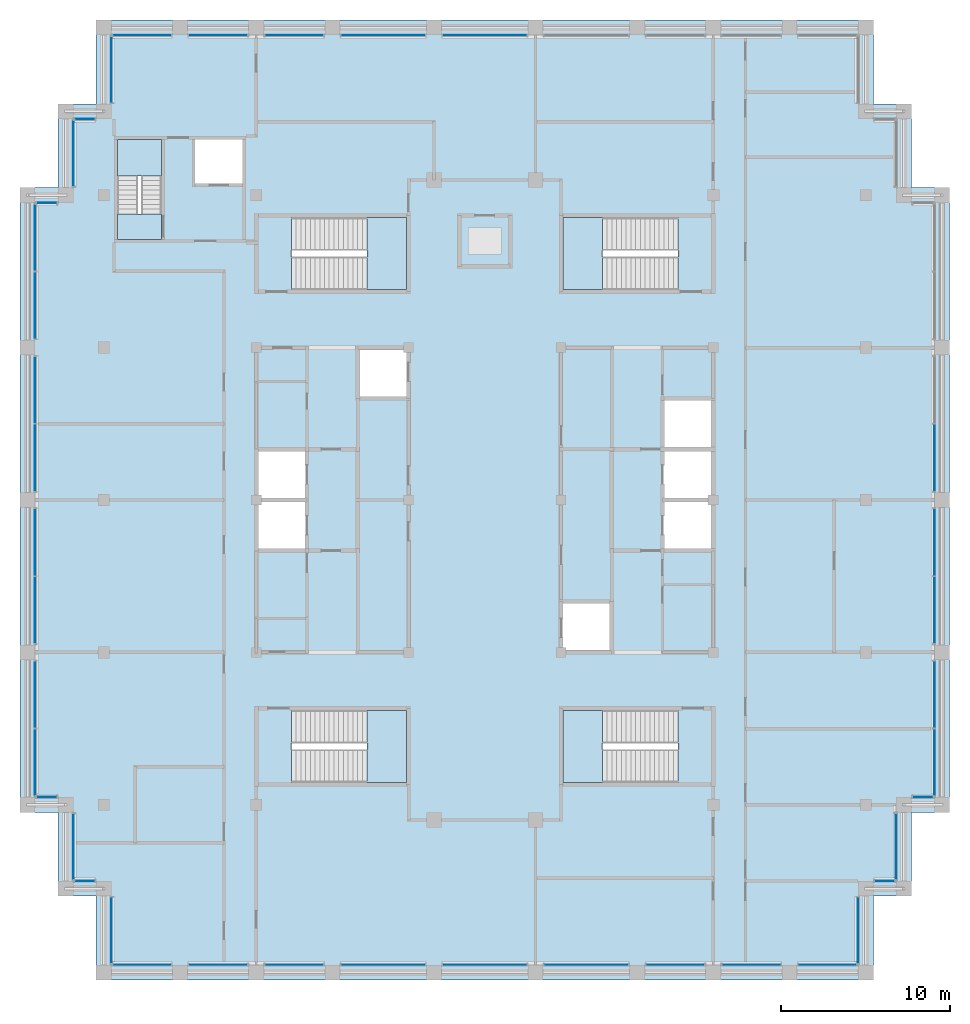
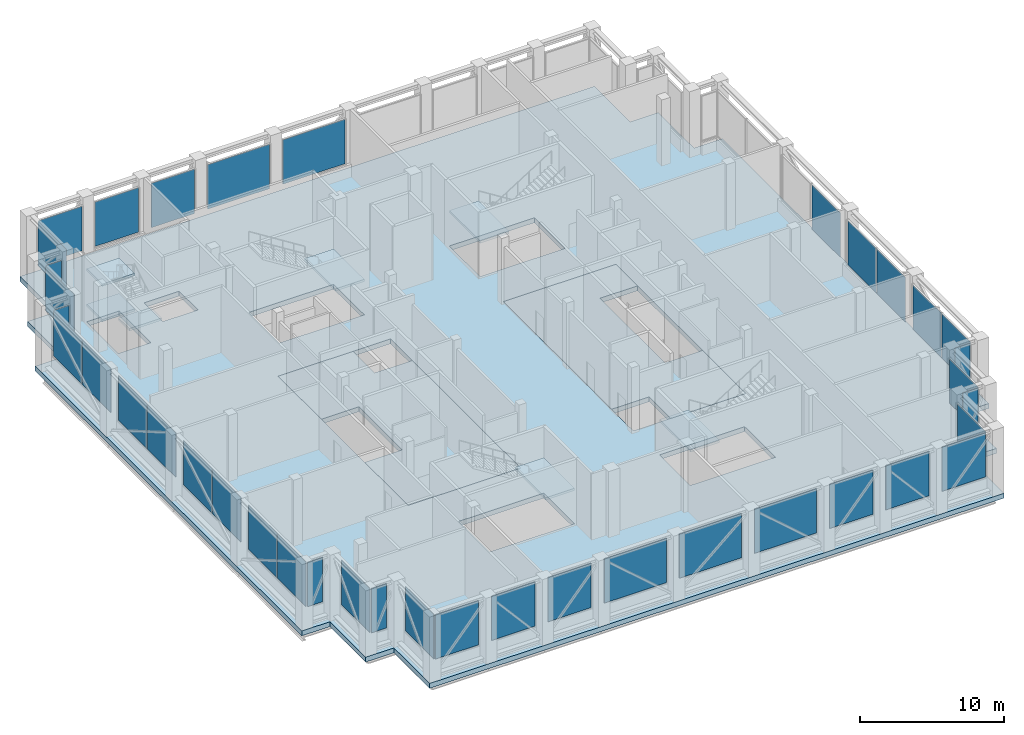
# One storey, part 10 of 17: 39 plates, 10 slabs, 38 elements without a shape of their own.
"""IFC4 building model written with IfcOpenShell, lengths in metres."""

from ifc_helpers import new_model, si_unit, direction, frame, origin, origin_2d, place, context, subcontext, project, spatial, polyline, rectangle, outline, extrude, material, layer, layer_set, type_object, element, aggregate, save


model = new_model("IFC4")

# Units and contexts
model_context = context("Model", 3, precision=1e-05, world=origin(), true_north=direction((0.0, 1.0)))
body_context = subcontext(model_context, "Body", "Model", "MODEL_VIEW")
ifc_project = project(units=[si_unit("LENGTHUNIT", "METRE"), si_unit("AREAUNIT", "SQUARE_METRE"), si_unit("VOLUMEUNIT", "CUBIC_METRE"), si_unit("PLANEANGLEUNIT", "RADIAN"), si_unit("MASSUNIT", "GRAM", prefix="KILO")], contexts=[model_context])

# Site, building, storey
site_placement = place(None, origin())
site = spatial("IfcSite", under=ifc_project, at=site_placement, CompositionType="ELEMENT")
building_placement = place(site_placement, origin())
building = spatial("IfcBuilding", under=site, at=building_placement, Name="Corbelhall Arena Tower", CompositionType="ELEMENT")
storey_placement = place(building_placement, frame((0.0, 0.0, 350.0)))
storey = spatial("IfcBuildingStorey", under=building, at=storey_placement, Name="L77", CompositionType="ELEMENT", Elevation=350.0)

# Curtain wall, plate
ifc_material_1 = material(Name="Aluminium black anodised", Category="aluminium")
ifc_layer_1 = layer(ifc_material_1, 0.199951171875)
ifc_layer_set_1 = layer_set([ifc_layer_1], Name="EV-CW5 Sky band glazing")
curtain_wall_type = type_object("IfcCurtainWallType", Name="EV-CW5 Sky band glazing", PredefinedType="NOTDEFINED", material=ifc_layer_set_1)
curtain_wall_1_placement = place(storey_placement, origin())
curtain_wall_1 = element("IfcCurtainWall", 1, at=curtain_wall_1_placement, inside=storey, type_object=curtain_wall_type, Name="Curtain wall CW5B", PredefinedType="NOTDEFINED")
ifc_material_2 = material(Name="Insulated metal panel black anodised")
ifc_layer_2 = layer(ifc_material_2, 0.028076171875)
ifc_layer_set_2 = layer_set([ifc_layer_2], Name="EV-CW5-OPAQUE")
plate_type = type_object("IfcPlateType", Name="EV-CW5-OPAQUE", PredefinedType="CURTAIN_PANEL", material=ifc_layer_set_2)
plate_1_placement = place(storey_placement, frame((-25.875, 17.550048828125, 1.175048828125), z_axis=(0.0, 0.0, 1.0), x_axis=(-1.0, 0.0, 0.0)))
plate_1 = element("IfcPlate", 2, at=plate_1_placement, type_object=plate_type, Name="CW5B panel 1.1", PredefinedType="CURTAIN_PANEL", context=body_context, shape_type="SweptSolid", body=[
    extrude(rectangle(XDim=1.199951171875, YDim=0.028076171875, at=origin_2d()), origin(), (0.0, 0.0, 1.0), 3.74951171875),
])
aggregate(curtain_wall_1, [plate_1])

# Curtain wall, plates
curtain_wall_2_placement = place(storey_placement, origin())
curtain_wall_2 = element("IfcCurtainWall", 3, at=curtain_wall_2_placement, inside=storey, type_object=curtain_wall_type, Name="Curtain wall CW5", PredefinedType="NOTDEFINED")
plate_2_placement = place(storey_placement, frame((-26.550048828125, 15.50634765625, 1.175048828125), z_axis=(0.0, 0.0, 1.0), x_axis=(0.0, -1.0, 0.0)))
plate_2 = element("IfcPlate", 4, at=plate_2_placement, type_object=plate_type, Name="CW5 panel 1.1", PredefinedType="CURTAIN_PANEL", context=body_context, shape_type="SweptSolid", body=[
    extrude(rectangle(XDim=3.9375, YDim=0.028076171875, at=origin_2d()), origin(), (0.0, 0.0, 1.0), 3.74951171875),
])
plate_3_placement = place(storey_placement, frame((-26.550048828125, 11.49365234375, 1.175048828125), z_axis=(0.0, 0.0, 1.0), x_axis=(0.0, -1.0, 0.0)))
plate_3 = element("IfcPlate", 5, at=plate_3_placement, type_object=plate_type, Name="CW5 panel 2.1", PredefinedType="CURTAIN_PANEL", context=body_context, shape_type="SweptSolid", body=[
    extrude(rectangle(XDim=3.9375, YDim=0.028076171875, at=origin_2d()), origin(), (0.0, 0.0, 1.0), 3.74951171875),
])
aggregate(curtain_wall_2, [plate_2, plate_3])

curtain_wall_3_placement = place(storey_placement, origin())
curtain_wall_3 = element("IfcCurtainWall", 6, at=curtain_wall_3_placement, inside=storey, type_object=curtain_wall_type, Name="Curtain wall CW5", PredefinedType="NOTDEFINED")
plate_4_placement = place(storey_placement, frame((-26.550048828125, 6.50634765625, 1.175048828125), z_axis=(0.0, 0.0, 1.0), x_axis=(0.0, -1.0, 0.0)))
plate_4 = element("IfcPlate", 7, at=plate_4_placement, type_object=plate_type, Name="CW5 panel 1.1", PredefinedType="CURTAIN_PANEL", context=body_context, shape_type="SweptSolid", body=[
    extrude(rectangle(XDim=3.9375, YDim=0.028076171875, at=origin_2d()), origin(), (0.0, 0.0, 1.0), 3.74951171875),
])
plate_5_placement = place(storey_placement, frame((-26.550048828125, 2.49365234375, 1.175048828125), z_axis=(0.0, 0.0, 1.0), x_axis=(0.0, -1.0, 0.0)))
plate_5 = element("IfcPlate", 8, at=plate_5_placement, type_object=plate_type, Name="CW5 panel 2.1", PredefinedType="CURTAIN_PANEL", context=body_context, shape_type="SweptSolid", body=[
    extrude(rectangle(XDim=3.9375, YDim=0.028076171875, at=origin_2d()), origin(), (0.0, 0.0, 1.0), 3.74951171875),
])
aggregate(curtain_wall_3, [plate_4, plate_5])

curtain_wall_4_placement = place(storey_placement, origin())
curtain_wall_4 = element("IfcCurtainWall", 9, at=curtain_wall_4_placement, inside=storey, type_object=curtain_wall_type, Name="Curtain wall CW5", PredefinedType="NOTDEFINED")
plate_6_placement = place(storey_placement, frame((-26.550048828125, -2.49365234375, 1.175048828125), z_axis=(0.0, 0.0, 1.0), x_axis=(0.0, -1.0, 0.0)))
plate_6 = element("IfcPlate", 10, at=plate_6_placement, type_object=plate_type, Name="CW5 panel 1.1", PredefinedType="CURTAIN_PANEL", context=body_context, shape_type="SweptSolid", body=[
    extrude(rectangle(XDim=3.9375, YDim=0.028076171875, at=origin_2d()), origin(), (0.0, 0.0, 1.0), 3.74951171875),
])
plate_7_placement = place(storey_placement, frame((-26.550048828125, -6.50634765625, 1.175048828125), z_axis=(0.0, 0.0, 1.0), x_axis=(0.0, -1.0, 0.0)))
plate_7 = element("IfcPlate", 11, at=plate_7_placement, type_object=plate_type, Name="CW5 panel 2.1", PredefinedType="CURTAIN_PANEL", context=body_context, shape_type="SweptSolid", body=[
    extrude(rectangle(XDim=3.9375, YDim=0.028076171875, at=origin_2d()), origin(), (0.0, 0.0, 1.0), 3.74951171875),
])
aggregate(curtain_wall_4, [plate_6, plate_7])

curtain_wall_5_placement = place(storey_placement, origin())
curtain_wall_5 = element("IfcCurtainWall", 12, at=curtain_wall_5_placement, inside=storey, type_object=curtain_wall_type, Name="Curtain wall CW5", PredefinedType="NOTDEFINED")
plate_8_placement = place(storey_placement, frame((-26.550048828125, -11.49365234375, 1.175048828125), z_axis=(0.0, 0.0, 1.0), x_axis=(0.0, -1.0, 0.0)))
plate_8 = element("IfcPlate", 13, at=plate_8_placement, type_object=plate_type, Name="CW5 panel 1.1", PredefinedType="CURTAIN_PANEL", context=body_context, shape_type="SweptSolid", body=[
    extrude(rectangle(XDim=3.9375, YDim=0.028076171875, at=origin_2d()), origin(), (0.0, 0.0, 1.0), 3.74951171875),
])
plate_9_placement = place(storey_placement, frame((-26.550048828125, -15.50634765625, 1.175048828125), z_axis=(0.0, 0.0, 1.0), x_axis=(0.0, -1.0, 0.0)))
plate_9 = element("IfcPlate", 14, at=plate_9_placement, type_object=plate_type, Name="CW5 panel 2.1", PredefinedType="CURTAIN_PANEL", context=body_context, shape_type="SweptSolid", body=[
    extrude(rectangle(XDim=3.9375, YDim=0.028076171875, at=origin_2d()), origin(), (0.0, 0.0, 1.0), 3.74951171875),
])
aggregate(curtain_wall_5, [plate_8, plate_9])

# Curtain wall, plate
curtain_wall_6_placement = place(storey_placement, origin())
curtain_wall_6 = element("IfcCurtainWall", 15, at=curtain_wall_6_placement, inside=storey, type_object=curtain_wall_type, Name="Curtain wall CW5B", PredefinedType="NOTDEFINED")
plate_10_placement = place(storey_placement, frame((-25.875, -17.550048828125, 1.175048828125), z_axis=(0.0, 0.0, 1.0), x_axis=(1.0, 0.0, 0.0)))
plate_10 = element("IfcPlate", 16, at=plate_10_placement, type_object=plate_type, Name="CW5B panel 1.1", PredefinedType="CURTAIN_PANEL", context=body_context, shape_type="SweptSolid", body=[
    extrude(rectangle(XDim=1.199951171875, YDim=0.028076171875, at=origin_2d()), origin(), (0.0, 0.0, 1.0), 3.74951171875),
])
aggregate(curtain_wall_6, [plate_10])

curtain_wall_7_placement = place(storey_placement, origin())
curtain_wall_7 = element("IfcCurtainWall", 17, at=curtain_wall_7_placement, inside=storey, type_object=curtain_wall_type, Name="Curtain wall CW5", PredefinedType="NOTDEFINED")
plate_11_placement = place(storey_placement, frame((-24.300048828125, -20.47509765625, 1.175048828125), z_axis=(0.0, 0.0, 1.0), x_axis=(0.0, -1.0, 0.0)))
plate_11 = element("IfcPlate", 18, at=plate_11_placement, type_object=plate_type, Name="CW5 panel 1.1", PredefinedType="CURTAIN_PANEL", context=body_context, shape_type="SweptSolid", body=[
    extrude(rectangle(XDim=3.89990234375, YDim=0.028076171875, at=origin_2d()), origin(), (0.0, 0.0, 1.0), 3.74951171875),
])
aggregate(curtain_wall_7, [plate_11])

curtain_wall_8_placement = place(storey_placement, origin())
curtain_wall_8 = element("IfcCurtainWall", 19, at=curtain_wall_8_placement, inside=storey, type_object=curtain_wall_type, Name="Curtain wall CW5B", PredefinedType="NOTDEFINED")
plate_12_placement = place(storey_placement, frame((-23.625, -22.5, 1.175048828125), z_axis=(0.0, 0.0, 1.0), x_axis=(1.0, 0.0, 0.0)))
plate_12 = element("IfcPlate", 20, at=plate_12_placement, type_object=plate_type, Name="CW5B panel 1.1", PredefinedType="CURTAIN_PANEL", context=body_context, shape_type="SweptSolid", body=[
    extrude(rectangle(XDim=1.199951171875, YDim=0.028076171875, at=origin_2d()), origin(), (0.0, 0.0, 1.0), 3.74951171875),
])
aggregate(curtain_wall_8, [plate_12])

curtain_wall_9_placement = place(storey_placement, origin())
curtain_wall_9 = element("IfcCurtainWall", 21, at=curtain_wall_9_placement, inside=storey, type_object=curtain_wall_type, Name="Curtain wall CW5", PredefinedType="NOTDEFINED")
plate_13_placement = place(storey_placement, frame((-22.050048828125, -25.425048828125, 1.175048828125), z_axis=(0.0, 0.0, 1.0), x_axis=(0.0, -1.0, 0.0)))
plate_13 = element("IfcPlate", 22, at=plate_13_placement, type_object=plate_type, Name="CW5 panel 1.1", PredefinedType="CURTAIN_PANEL", context=body_context, shape_type="SweptSolid", body=[
    extrude(rectangle(XDim=3.89990234375, YDim=0.028076171875, at=origin_2d()), origin(), (0.0, 0.0, 1.0), 3.74951171875),
])
aggregate(curtain_wall_9, [plate_13])

curtain_wall_10_placement = place(storey_placement, origin())
curtain_wall_10 = element("IfcCurtainWall", 23, at=curtain_wall_10_placement, inside=storey, type_object=curtain_wall_type, Name="Curtain wall CW5A", PredefinedType="NOTDEFINED")
plate_14_placement = place(storey_placement, frame((-20.25, -27.449951171875, 1.175048828125), z_axis=(0.0, 0.0, 1.0), x_axis=(1.0, 0.0, 0.0)))
plate_14 = element("IfcPlate", 24, at=plate_14_placement, type_object=plate_type, Name="CW5A panel 1.1", PredefinedType="CURTAIN_PANEL", context=body_context, shape_type="SweptSolid", body=[
    extrude(rectangle(XDim=3.449951171875, YDim=0.028076171875, at=origin_2d()), origin(), (0.0, 0.0, 1.0), 3.74951171875),
])
aggregate(curtain_wall_10, [plate_14])

curtain_wall_11_placement = place(storey_placement, origin())
curtain_wall_11 = element("IfcCurtainWall", 25, at=curtain_wall_11_placement, inside=storey, type_object=curtain_wall_type, Name="Curtain wall CW5A", PredefinedType="NOTDEFINED")
plate_15_placement = place(storey_placement, frame((-15.75, -27.449951171875, 1.175048828125), z_axis=(0.0, 0.0, 1.0), x_axis=(1.0, 0.0, 0.0)))
plate_15 = element("IfcPlate", 26, at=plate_15_placement, type_object=plate_type, Name="CW5A panel 1.1", PredefinedType="CURTAIN_PANEL", context=body_context, shape_type="SweptSolid", body=[
    extrude(rectangle(XDim=3.449951171875, YDim=0.028076171875, at=origin_2d()), origin(), (0.0, 0.0, 1.0), 3.74951171875),
])
aggregate(curtain_wall_11, [plate_15])

curtain_wall_12_placement = place(storey_placement, origin())
curtain_wall_12 = element("IfcCurtainWall", 27, at=curtain_wall_12_placement, inside=storey, type_object=curtain_wall_type, Name="Curtain wall CW5A", PredefinedType="NOTDEFINED")
plate_16_placement = place(storey_placement, frame((-11.25, -27.449951171875, 1.175048828125), z_axis=(0.0, 0.0, 1.0), x_axis=(1.0, 0.0, 0.0)))
plate_16 = element("IfcPlate", 28, at=plate_16_placement, type_object=plate_type, Name="CW5A panel 1.1", PredefinedType="CURTAIN_PANEL", context=body_context, shape_type="SweptSolid", body=[
    extrude(rectangle(XDim=3.449951171875, YDim=0.028076171875, at=origin_2d()), origin(), (0.0, 0.0, 1.0), 3.74951171875),
])
aggregate(curtain_wall_12, [plate_16])

curtain_wall_13_placement = place(storey_placement, origin())
curtain_wall_13 = element("IfcCurtainWall", 29, at=curtain_wall_13_placement, inside=storey, type_object=curtain_wall_type, Name="Curtain wall CW5C", PredefinedType="NOTDEFINED")
plate_17_placement = place(storey_placement, frame((-6.0, -27.449951171875, 1.175048828125), z_axis=(0.0, 0.0, 1.0), x_axis=(1.0, 0.0, 0.0)))
plate_17 = element("IfcPlate", 30, at=plate_17_placement, type_object=plate_type, Name="CW5C panel 1.1", PredefinedType="CURTAIN_PANEL", context=body_context, shape_type="SweptSolid", body=[
    extrude(rectangle(XDim=4.949951171875, YDim=0.028076171875, at=origin_2d()), origin(), (0.0, 0.0, 1.0), 3.74951171875),
])
aggregate(curtain_wall_13, [plate_17])

curtain_wall_14_placement = place(storey_placement, origin())
curtain_wall_14 = element("IfcCurtainWall", 31, at=curtain_wall_14_placement, inside=storey, type_object=curtain_wall_type, Name="Curtain wall CW5C", PredefinedType="NOTDEFINED")
plate_18_placement = place(storey_placement, frame((0.0, -27.449951171875, 1.175048828125), z_axis=(0.0, 0.0, 1.0), x_axis=(1.0, 0.0, 0.0)))
plate_18 = element("IfcPlate", 32, at=plate_18_placement, type_object=plate_type, Name="CW5C panel 1.1", PredefinedType="CURTAIN_PANEL", context=body_context, shape_type="SweptSolid", body=[
    extrude(rectangle(XDim=4.949951171875, YDim=0.028076171875, at=origin_2d()), origin(), (0.0, 0.0, 1.0), 3.74951171875),
])
aggregate(curtain_wall_14, [plate_18])

curtain_wall_15_placement = place(storey_placement, origin())
curtain_wall_15 = element("IfcCurtainWall", 33, at=curtain_wall_15_placement, inside=storey, type_object=curtain_wall_type, Name="Curtain wall CW5C", PredefinedType="NOTDEFINED")
plate_19_placement = place(storey_placement, frame((6.0, -27.449951171875, 1.175048828125), z_axis=(0.0, 0.0, 1.0), x_axis=(1.0, 0.0, 0.0)))
plate_19 = element("IfcPlate", 34, at=plate_19_placement, type_object=plate_type, Name="CW5C panel 1.1", PredefinedType="CURTAIN_PANEL", context=body_context, shape_type="SweptSolid", body=[
    extrude(rectangle(XDim=4.949951171875, YDim=0.028076171875, at=origin_2d()), origin(), (0.0, 0.0, 1.0), 3.74951171875),
])
aggregate(curtain_wall_15, [plate_19])

curtain_wall_16_placement = place(storey_placement, origin())
curtain_wall_16 = element("IfcCurtainWall", 35, at=curtain_wall_16_placement, inside=storey, type_object=curtain_wall_type, Name="Curtain wall CW5A", PredefinedType="NOTDEFINED")
plate_20_placement = place(storey_placement, frame((11.25, -27.449951171875, 1.175048828125), z_axis=(0.0, 0.0, 1.0), x_axis=(1.0, 0.0, 0.0)))
plate_20 = element("IfcPlate", 36, at=plate_20_placement, type_object=plate_type, Name="CW5A panel 1.1", PredefinedType="CURTAIN_PANEL", context=body_context, shape_type="SweptSolid", body=[
    extrude(rectangle(XDim=3.449951171875, YDim=0.028076171875, at=origin_2d()), origin(), (0.0, 0.0, 1.0), 3.74951171875),
])
aggregate(curtain_wall_16, [plate_20])

curtain_wall_17_placement = place(storey_placement, origin())
curtain_wall_17 = element("IfcCurtainWall", 37, at=curtain_wall_17_placement, inside=storey, type_object=curtain_wall_type, Name="Curtain wall CW5A", PredefinedType="NOTDEFINED")
plate_21_placement = place(storey_placement, frame((15.75, -27.449951171875, 1.175048828125), z_axis=(0.0, 0.0, 1.0), x_axis=(1.0, 0.0, 0.0)))
plate_21 = element("IfcPlate", 38, at=plate_21_placement, type_object=plate_type, Name="CW5A panel 1.1", PredefinedType="CURTAIN_PANEL", context=body_context, shape_type="SweptSolid", body=[
    extrude(rectangle(XDim=3.449951171875, YDim=0.028076171875, at=origin_2d()), origin(), (0.0, 0.0, 1.0), 3.74951171875),
])
aggregate(curtain_wall_17, [plate_21])

curtain_wall_18_placement = place(storey_placement, origin())
curtain_wall_18 = element("IfcCurtainWall", 39, at=curtain_wall_18_placement, inside=storey, type_object=curtain_wall_type, Name="Curtain wall CW5A", PredefinedType="NOTDEFINED")
plate_22_placement = place(storey_placement, frame((20.25, -27.449951171875, 1.175048828125), z_axis=(0.0, 0.0, 1.0), x_axis=(1.0, 0.0, 0.0)))
plate_22 = element("IfcPlate", 40, at=plate_22_placement, type_object=plate_type, Name="CW5A panel 1.1", PredefinedType="CURTAIN_PANEL", context=body_context, shape_type="SweptSolid", body=[
    extrude(rectangle(XDim=3.449951171875, YDim=0.028076171875, at=origin_2d()), origin(), (0.0, 0.0, 1.0), 3.74951171875),
])
aggregate(curtain_wall_18, [plate_22])

curtain_wall_19_placement = place(storey_placement, origin())
curtain_wall_19 = element("IfcCurtainWall", 41, at=curtain_wall_19_placement, inside=storey, type_object=curtain_wall_type, Name="Curtain wall CW5", PredefinedType="NOTDEFINED")
plate_23_placement = place(storey_placement, frame((22.050048828125, -25.425048828125, 1.175048828125), z_axis=(0.0, 0.0, 1.0), x_axis=(0.0, 1.0, 0.0)))
plate_23 = element("IfcPlate", 42, at=plate_23_placement, type_object=plate_type, Name="CW5 panel 1.1", PredefinedType="CURTAIN_PANEL", context=body_context, shape_type="SweptSolid", body=[
    extrude(rectangle(XDim=3.89990234375, YDim=0.028076171875, at=origin_2d()), origin(), (0.0, 0.0, 1.0), 3.74951171875),
])
aggregate(curtain_wall_19, [plate_23])

curtain_wall_20_placement = place(storey_placement, origin())
curtain_wall_20 = element("IfcCurtainWall", 43, at=curtain_wall_20_placement, inside=storey, type_object=curtain_wall_type, Name="Curtain wall CW5B", PredefinedType="NOTDEFINED")
plate_24_placement = place(storey_placement, frame((23.625, -22.5, 1.175048828125), z_axis=(0.0, 0.0, 1.0), x_axis=(1.0, 0.0, 0.0)))
plate_24 = element("IfcPlate", 44, at=plate_24_placement, type_object=plate_type, Name="CW5B panel 1.1", PredefinedType="CURTAIN_PANEL", context=body_context, shape_type="SweptSolid", body=[
    extrude(rectangle(XDim=1.199951171875, YDim=0.028076171875, at=origin_2d()), origin(), (0.0, 0.0, 1.0), 3.74951171875),
])
aggregate(curtain_wall_20, [plate_24])

curtain_wall_21_placement = place(storey_placement, origin())
curtain_wall_21 = element("IfcCurtainWall", 45, at=curtain_wall_21_placement, inside=storey, type_object=curtain_wall_type, Name="Curtain wall CW5", PredefinedType="NOTDEFINED")
plate_25_placement = place(storey_placement, frame((24.300048828125, -20.47509765625, 1.175048828125), z_axis=(0.0, 0.0, 1.0), x_axis=(0.0, 1.0, 0.0)))
plate_25 = element("IfcPlate", 46, at=plate_25_placement, type_object=plate_type, Name="CW5 panel 1.1", PredefinedType="CURTAIN_PANEL", context=body_context, shape_type="SweptSolid", body=[
    extrude(rectangle(XDim=3.89990234375, YDim=0.028076171875, at=origin_2d()), origin(), (0.0, 0.0, 1.0), 3.74951171875),
])
aggregate(curtain_wall_21, [plate_25])

curtain_wall_22_placement = place(storey_placement, origin())
curtain_wall_22 = element("IfcCurtainWall", 47, at=curtain_wall_22_placement, inside=storey, type_object=curtain_wall_type, Name="Curtain wall CW5B", PredefinedType="NOTDEFINED")
plate_26_placement = place(storey_placement, frame((25.875, -17.550048828125, 1.175048828125), z_axis=(0.0, 0.0, 1.0), x_axis=(1.0, 0.0, 0.0)))
plate_26 = element("IfcPlate", 48, at=plate_26_placement, type_object=plate_type, Name="CW5B panel 1.1", PredefinedType="CURTAIN_PANEL", context=body_context, shape_type="SweptSolid", body=[
    extrude(rectangle(XDim=1.199951171875, YDim=0.028076171875, at=origin_2d()), origin(), (0.0, 0.0, 1.0), 3.74951171875),
])
aggregate(curtain_wall_22, [plate_26])

# Curtain wall, plates
curtain_wall_23_placement = place(storey_placement, origin())
curtain_wall_23 = element("IfcCurtainWall", 49, at=curtain_wall_23_placement, inside=storey, type_object=curtain_wall_type, Name="Curtain wall CW5", PredefinedType="NOTDEFINED")
plate_27_placement = place(storey_placement, frame((26.550048828125, -15.50634765625, 1.175048828125), z_axis=(0.0, 0.0, 1.0), x_axis=(0.0, 1.0, 0.0)))
plate_27 = element("IfcPlate", 50, at=plate_27_placement, type_object=plate_type, Name="CW5 panel 1.1", PredefinedType="CURTAIN_PANEL", context=body_context, shape_type="SweptSolid", body=[
    extrude(rectangle(XDim=3.9375, YDim=0.028076171875, at=origin_2d()), origin(), (0.0, 0.0, 1.0), 3.74951171875),
])
plate_28_placement = place(storey_placement, frame((26.550048828125, -11.49365234375, 1.175048828125), z_axis=(0.0, 0.0, 1.0), x_axis=(0.0, 1.0, 0.0)))
plate_28 = element("IfcPlate", 51, at=plate_28_placement, type_object=plate_type, Name="CW5 panel 2.1", PredefinedType="CURTAIN_PANEL", context=body_context, shape_type="SweptSolid", body=[
    extrude(rectangle(XDim=3.9375, YDim=0.028076171875, at=origin_2d()), origin(), (0.0, 0.0, 1.0), 3.74951171875),
])
aggregate(curtain_wall_23, [plate_27, plate_28])

curtain_wall_24_placement = place(storey_placement, origin())
curtain_wall_24 = element("IfcCurtainWall", 52, at=curtain_wall_24_placement, inside=storey, type_object=curtain_wall_type, Name="Curtain wall CW5", PredefinedType="NOTDEFINED")
plate_29_placement = place(storey_placement, frame((26.550048828125, -6.50634765625, 1.175048828125), z_axis=(0.0, 0.0, 1.0), x_axis=(0.0, 1.0, 0.0)))
plate_29 = element("IfcPlate", 53, at=plate_29_placement, type_object=plate_type, Name="CW5 panel 1.1", PredefinedType="CURTAIN_PANEL", context=body_context, shape_type="SweptSolid", body=[
    extrude(rectangle(XDim=3.9375, YDim=0.028076171875, at=origin_2d()), origin(), (0.0, 0.0, 1.0), 3.74951171875),
])
plate_30_placement = place(storey_placement, frame((26.550048828125, -2.49365234375, 1.175048828125), z_axis=(0.0, 0.0, 1.0), x_axis=(0.0, 1.0, 0.0)))
plate_30 = element("IfcPlate", 54, at=plate_30_placement, type_object=plate_type, Name="CW5 panel 2.1", PredefinedType="CURTAIN_PANEL", context=body_context, shape_type="SweptSolid", body=[
    extrude(rectangle(XDim=3.9375, YDim=0.028076171875, at=origin_2d()), origin(), (0.0, 0.0, 1.0), 3.74951171875),
])
aggregate(curtain_wall_24, [plate_29, plate_30])

# Curtain wall, plate
curtain_wall_25_placement = place(storey_placement, origin())
curtain_wall_25 = element("IfcCurtainWall", 55, at=curtain_wall_25_placement, inside=storey, type_object=curtain_wall_type, Name="Curtain wall CW5", PredefinedType="NOTDEFINED")
plate_31_placement = place(storey_placement, frame((26.550048828125, 2.49365234375, 1.175048828125), z_axis=(0.0, 0.0, 1.0), x_axis=(0.0, 1.0, 0.0)))
plate_31 = element("IfcPlate", 56, at=plate_31_placement, type_object=plate_type, Name="CW5 panel 1.1", PredefinedType="CURTAIN_PANEL", context=body_context, shape_type="SweptSolid", body=[
    extrude(rectangle(XDim=3.9375, YDim=0.028076171875, at=origin_2d()), origin(), (0.0, 0.0, 1.0), 3.74951171875),
])
aggregate(curtain_wall_25, [plate_31])

curtain_wall_26_placement = place(storey_placement, origin())
curtain_wall_26 = element("IfcCurtainWall", 57, at=curtain_wall_26_placement, inside=storey, type_object=curtain_wall_type, Name="Curtain wall CW5C", PredefinedType="NOTDEFINED")
plate_32_placement = place(storey_placement, frame((0.0, 27.449951171875, 1.175048828125), z_axis=(0.0, 0.0, 1.0), x_axis=(-1.0, 0.0, 0.0)))
plate_32 = element("IfcPlate", 58, at=plate_32_placement, type_object=plate_type, Name="CW5C panel 1.1", PredefinedType="CURTAIN_PANEL", context=body_context, shape_type="SweptSolid", body=[
    extrude(rectangle(XDim=4.949951171875, YDim=0.028076171875, at=origin_2d()), origin(), (0.0, 0.0, 1.0), 3.74951171875),
])
aggregate(curtain_wall_26, [plate_32])

curtain_wall_27_placement = place(storey_placement, origin())
curtain_wall_27 = element("IfcCurtainWall", 59, at=curtain_wall_27_placement, inside=storey, type_object=curtain_wall_type, Name="Curtain wall CW5C", PredefinedType="NOTDEFINED")
plate_33_placement = place(storey_placement, frame((-6.0, 27.449951171875, 1.175048828125), z_axis=(0.0, 0.0, 1.0), x_axis=(-1.0, 0.0, 0.0)))
plate_33 = element("IfcPlate", 60, at=plate_33_placement, type_object=plate_type, Name="CW5C panel 1.1", PredefinedType="CURTAIN_PANEL", context=body_context, shape_type="SweptSolid", body=[
    extrude(rectangle(XDim=4.949951171875, YDim=0.028076171875, at=origin_2d()), origin(), (0.0, 0.0, 1.0), 3.74951171875),
])
aggregate(curtain_wall_27, [plate_33])

curtain_wall_28_placement = place(storey_placement, origin())
curtain_wall_28 = element("IfcCurtainWall", 61, at=curtain_wall_28_placement, inside=storey, type_object=curtain_wall_type, Name="Curtain wall CW5A", PredefinedType="NOTDEFINED")
plate_34_placement = place(storey_placement, frame((-11.25, 27.449951171875, 1.175048828125), z_axis=(0.0, 0.0, 1.0), x_axis=(-1.0, 0.0, 0.0)))
plate_34 = element("IfcPlate", 62, at=plate_34_placement, type_object=plate_type, Name="CW5A panel 1.1", PredefinedType="CURTAIN_PANEL", context=body_context, shape_type="SweptSolid", body=[
    extrude(rectangle(XDim=3.449951171875, YDim=0.028076171875, at=origin_2d()), origin(), (0.0, 0.0, 1.0), 3.74951171875),
])
aggregate(curtain_wall_28, [plate_34])

curtain_wall_29_placement = place(storey_placement, origin())
curtain_wall_29 = element("IfcCurtainWall", 63, at=curtain_wall_29_placement, inside=storey, type_object=curtain_wall_type, Name="Curtain wall CW5A", PredefinedType="NOTDEFINED")
plate_35_placement = place(storey_placement, frame((-15.75, 27.449951171875, 1.175048828125), z_axis=(0.0, 0.0, 1.0), x_axis=(-1.0, 0.0, 0.0)))
plate_35 = element("IfcPlate", 64, at=plate_35_placement, type_object=plate_type, Name="CW5A panel 1.1", PredefinedType="CURTAIN_PANEL", context=body_context, shape_type="SweptSolid", body=[
    extrude(rectangle(XDim=3.449951171875, YDim=0.028076171875, at=origin_2d()), origin(), (0.0, 0.0, 1.0), 3.74951171875),
])
aggregate(curtain_wall_29, [plate_35])

curtain_wall_30_placement = place(storey_placement, origin())
curtain_wall_30 = element("IfcCurtainWall", 65, at=curtain_wall_30_placement, inside=storey, type_object=curtain_wall_type, Name="Curtain wall CW5A", PredefinedType="NOTDEFINED")
plate_36_placement = place(storey_placement, frame((-20.25, 27.449951171875, 1.175048828125), z_axis=(0.0, 0.0, 1.0), x_axis=(-1.0, 0.0, 0.0)))
plate_36 = element("IfcPlate", 66, at=plate_36_placement, type_object=plate_type, Name="CW5A panel 1.1", PredefinedType="CURTAIN_PANEL", context=body_context, shape_type="SweptSolid", body=[
    extrude(rectangle(XDim=3.449951171875, YDim=0.028076171875, at=origin_2d()), origin(), (0.0, 0.0, 1.0), 3.74951171875),
])
aggregate(curtain_wall_30, [plate_36])

curtain_wall_31_placement = place(storey_placement, origin())
curtain_wall_31 = element("IfcCurtainWall", 67, at=curtain_wall_31_placement, inside=storey, type_object=curtain_wall_type, Name="Curtain wall CW5", PredefinedType="NOTDEFINED")
plate_37_placement = place(storey_placement, frame((-22.050048828125, 25.425048828125, 1.175048828125), z_axis=(0.0, 0.0, 1.0), x_axis=(0.0, -1.0, 0.0)))
plate_37 = element("IfcPlate", 68, at=plate_37_placement, type_object=plate_type, Name="CW5 panel 1.1", PredefinedType="CURTAIN_PANEL", context=body_context, shape_type="SweptSolid", body=[
    extrude(rectangle(XDim=3.89990234375, YDim=0.028076171875, at=origin_2d()), origin(), (0.0, 0.0, 1.0), 3.74951171875),
])
aggregate(curtain_wall_31, [plate_37])

curtain_wall_32_placement = place(storey_placement, origin())
curtain_wall_32 = element("IfcCurtainWall", 69, at=curtain_wall_32_placement, inside=storey, type_object=curtain_wall_type, Name="Curtain wall CW5B", PredefinedType="NOTDEFINED")
plate_38_placement = place(storey_placement, frame((-23.625, 22.5, 1.175048828125), z_axis=(0.0, 0.0, 1.0), x_axis=(-1.0, 0.0, 0.0)))
plate_38 = element("IfcPlate", 70, at=plate_38_placement, type_object=plate_type, Name="CW5B panel 1.1", PredefinedType="CURTAIN_PANEL", context=body_context, shape_type="SweptSolid", body=[
    extrude(rectangle(XDim=1.199951171875, YDim=0.028076171875, at=origin_2d()), origin(), (0.0, 0.0, 1.0), 3.74951171875),
])
aggregate(curtain_wall_32, [plate_38])

curtain_wall_33_placement = place(storey_placement, origin())
curtain_wall_33 = element("IfcCurtainWall", 71, at=curtain_wall_33_placement, inside=storey, type_object=curtain_wall_type, Name="Curtain wall CW5", PredefinedType="NOTDEFINED")
plate_39_placement = place(storey_placement, frame((-24.300048828125, 20.47509765625, 1.175048828125), z_axis=(0.0, 0.0, 1.0), x_axis=(0.0, -1.0, 0.0)))
plate_39 = element("IfcPlate", 72, at=plate_39_placement, type_object=plate_type, Name="CW5 panel 1.1", PredefinedType="CURTAIN_PANEL", context=body_context, shape_type="SweptSolid", body=[
    extrude(rectangle(XDim=3.89990234375, YDim=0.028076171875, at=origin_2d()), origin(), (0.0, 0.0, 1.0), 3.74951171875),
])
aggregate(curtain_wall_33, [plate_39])

# Slabs
ifc_material_3 = material(Name="Concrete C40/50", Category="concrete")
ifc_layer_3 = layer(ifc_material_3, 0.300048828125)
ifc_layer_set_3 = layer_set([ifc_layer_3], Name="IN-SL-CORE")
slab_type_1 = type_object("IfcSlabType", Name="IN-SL-CORE", PredefinedType="FLOOR", material=ifc_layer_set_3)
slab_1_placement = place(storey_placement, frame((0.0, 0.0, -0.409912109375)))
element("IfcSlab", 73, at=slab_1_placement, inside=storey, type_object=slab_type_1, Name="Core floor W", PredefinedType="FLOOR", context=body_context, shape_type="SweptSolid", body=[
    extrude(outline(polyline([(-13.5, -3.0), (-13.5, -9.0), (-4.5, -9.0), (-4.5, 6.0), (-7.5, 6.0), (-7.5, 9.0), (-13.5, 9.0), (-13.5, 3.0), (-10.5, 3.0), (-10.5, 0.0), (-10.5, -3.0), (-13.5, -3.0)])), origin(), (0.0, 0.0, 1.0), 0.409912109375),
])
slab_2_placement = place(storey_placement, frame((0.0, 0.0, -0.409912109375)))
element("IfcSlab", 74, at=slab_2_placement, inside=storey, type_object=slab_type_1, Name="Core floor E", PredefinedType="FLOOR", context=body_context, shape_type="SweptSolid", body=[
    extrude(outline(polyline([(10.5, 0.0), (10.5, 3.0), (10.5, 6.0), (13.5, 6.0), (13.5, 9.0), (4.5, 9.0), (4.5, -6.0), (7.5, -6.0), (7.5, -9.0), (13.5, -9.0), (13.5, -3.0), (10.5, -3.0), (10.5, 0.0)])), origin(), (0.0, 0.0, 1.0), 0.409912109375),
])

# Stair, slab
stair_type = type_object("IfcStairType", Name="IN-ST-TOWER", PredefinedType="HALF_TURN_STAIR", material=ifc_material_3)
stair_1_placement = place(storey_placement, origin())
stair_1 = element("IfcStair", 75, at=stair_1_placement, inside=storey, type_object=stair_type, Name="L77 Exit stair ST1", PredefinedType="HALF_TURN_STAIR")
ifc_layer_4 = layer(ifc_material_3, 0.199951171875)
ifc_layer_set_4 = layer_set([ifc_layer_4], Name="IN-SL-LANDING")
slab_type_2 = type_object("IfcSlabType", Name="IN-SL-LANDING", PredefinedType="LANDING", material=ifc_layer_set_4)
slab_3_placement = place(storey_placement, frame((0.0, 0.0, 2.800048828125)))
slab_3 = element("IfcSlab", 76, at=slab_3_placement, type_object=slab_type_2, Name="ST1 landing 1", PredefinedType="LANDING", context=body_context, shape_type="SweptSolid", body=[
    extrude(outline(polyline([(-6.945068359375, 12.425048828125), (-4.625, 12.425048828125), (-4.625, 16.675048828125), (-6.945068359375, 16.675048828125), (-6.945068359375, 12.425048828125)])), origin(), (0.0, 0.0, 1.0), 0.199951171875),
])
aggregate(stair_1, [slab_3])

stair_2_placement = place(storey_placement, origin())
stair_2 = element("IfcStair", 77, at=stair_2_placement, inside=storey, type_object=stair_type, Name="L77 Exit stair ST2", PredefinedType="HALF_TURN_STAIR")
slab_4_placement = place(storey_placement, frame((0.0, 0.0, 2.800048828125)))
slab_4 = element("IfcSlab", 78, at=slab_4_placement, type_object=slab_type_2, Name="ST2 landing 1", PredefinedType="LANDING", context=body_context, shape_type="SweptSolid", body=[
    extrude(outline(polyline([(-6.945068359375, -16.675048828125), (-4.625, -16.675048828125), (-4.625, -12.425048828125), (-6.945068359375, -12.425048828125), (-6.945068359375, -16.675048828125)])), origin(), (0.0, 0.0, 1.0), 0.199951171875),
])
aggregate(stair_2, [slab_4])

stair_3_placement = place(storey_placement, origin())
stair_3 = element("IfcStair", 79, at=stair_3_placement, inside=storey, type_object=stair_type, Name="L77 Exit stair ST3", PredefinedType="HALF_TURN_STAIR")
slab_5_placement = place(storey_placement, frame((0.0, 0.0, 2.800048828125)))
slab_5 = element("IfcSlab", 80, at=slab_5_placement, type_object=slab_type_2, Name="ST3 landing 1", PredefinedType="LANDING", context=body_context, shape_type="SweptSolid", body=[
    extrude(outline(polyline([(6.945068359375, 16.675048828125), (4.625, 16.675048828125), (4.625, 12.425048828125), (6.945068359375, 12.425048828125), (6.945068359375, 16.675048828125)])), origin(), (0.0, 0.0, 1.0), 0.199951171875),
])
aggregate(stair_3, [slab_5])

stair_4_placement = place(storey_placement, origin())
stair_4 = element("IfcStair", 81, at=stair_4_placement, inside=storey, type_object=stair_type, Name="L77 Exit stair ST4", PredefinedType="HALF_TURN_STAIR")
slab_6_placement = place(storey_placement, frame((0.0, 0.0, 2.800048828125)))
slab_6 = element("IfcSlab", 82, at=slab_6_placement, type_object=slab_type_2, Name="ST4 landing 1", PredefinedType="LANDING", context=body_context, shape_type="SweptSolid", body=[
    extrude(outline(polyline([(6.945068359375, -12.425048828125), (4.625, -12.425048828125), (4.625, -16.675048828125), (6.945068359375, -16.675048828125), (6.945068359375, -12.425048828125)])), origin(), (0.0, 0.0, 1.0), 0.199951171875),
])
aggregate(stair_4, [slab_6])

# Stair, slabs
stair_5_placement = place(storey_placement, origin())
stair_5 = element("IfcStair", 83, at=stair_5_placement, inside=storey, type_object=stair_type, Name="L77 Exit stair ST5", PredefinedType="HALF_TURN_STAIR")
slab_7_placement = place(storey_placement, frame((0.0, 0.0, 1.300048828125)))
slab_7 = element("IfcSlab", 84, at=slab_7_placement, type_object=slab_type_2, Name="ST5 landing 1", PredefinedType="LANDING", context=body_context, shape_type="SweptSolid", body=[
    extrude(outline(polyline([(-19.094970703125, 19.139892578125), (-19.094970703125, 21.300048828125), (-21.695068359375, 21.300048828125), (-21.695068359375, 19.139892578125), (-19.094970703125, 19.139892578125)])), origin(), (0.0, 0.0, 1.0), 0.199951171875),
])
slab_8_placement = place(storey_placement, frame((0.0, 0.0, 2.800048828125)))
slab_8 = element("IfcSlab", 85, at=slab_8_placement, type_object=slab_type_2, Name="ST5 landing 2", PredefinedType="LANDING", context=body_context, shape_type="SweptSolid", body=[
    extrude(outline(polyline([(-19.094970703125, 15.39990234375), (-19.094970703125, 16.89990234375), (-21.695068359375, 16.89990234375), (-21.695068359375, 15.39990234375), (-19.094970703125, 15.39990234375)])), origin(), (0.0, 0.0, 1.0), 0.199951171875),
])
slab_9_placement = place(storey_placement, frame((0.0, 0.0, 4.300048828125)))
slab_9 = element("IfcSlab", 86, at=slab_9_placement, type_object=slab_type_2, Name="ST5 landing 3", PredefinedType="LANDING", context=body_context, shape_type="SweptSolid", body=[
    extrude(outline(polyline([(-19.094970703125, 19.139892578125), (-19.094970703125, 21.300048828125), (-21.695068359375, 21.300048828125), (-21.695068359375, 19.139892578125), (-19.094970703125, 19.139892578125)])), origin(), (0.0, 0.0, 1.0), 0.199951171875),
])
aggregate(stair_5, [slab_7, slab_8, slab_9])

# Slab
ifc_layer_5 = layer(ifc_material_3, 0.409912109375)
ifc_layer_set_5 = layer_set([ifc_layer_5], Name="ST-SLAB-FLOOR-410")
slab_type_3 = type_object("IfcSlabType", Name="ST-SLAB-FLOOR-410", PredefinedType="FLOOR", material=ifc_layer_set_5)
slab_10_placement = place(storey_placement, frame((0.0, 0.0, -0.409912109375)))
element("IfcSlab", 87, at=slab_10_placement, inside=storey, type_object=slab_type_3, Name="Floor slab L77 1", PredefinedType="FLOOR", context=body_context, shape_type="SweptSolid", body=[
    extrude(outline(polyline([(25.199951171875, 18.449951171875), (25.199951171875, 23.39990234375), (22.949951171875, 23.39990234375), (22.949951171875, 28.35009765625), (-22.949951171875, 28.35009765625), (-22.949951171875, 23.39990234375), (-25.199951171875, 23.39990234375), (-25.199951171875, 18.449951171875), (-27.449951171875, 18.449951171875), (-27.449951171875, -18.449951171875), (-25.199951171875, -18.449951171875), (-25.199951171875, -23.39990234375), (-22.949951171875, -23.39990234375), (-22.949951171875, -28.35009765625), (22.949951171875, -28.35009765625), (22.949951171875, -23.39990234375), (25.199951171875, -23.39990234375), (25.199951171875, -18.449951171875), (27.449951171875, -18.449951171875), (27.449951171875, 18.449951171875), (25.199951171875, 18.449951171875)]), holes=[polyline([(-13.5, 9.0), (-13.5, -9.0), (-4.5, -9.0), (-4.5, 9.0), (-13.5, 9.0)]), polyline([(4.5, 9.0), (4.5, -9.0), (13.5, -9.0), (13.5, 9.0), (4.5, 9.0)]), polyline([(-4.625, 16.675048828125), (-11.422119140625, 16.675048828125), (-11.422119140625, 12.425048828125), (-4.625, 12.425048828125), (-4.625, 16.675048828125)]), polyline([(-4.625, -16.675048828125), (-4.625, -12.425048828125), (-11.422119140625, -12.425048828125), (-11.422119140625, -16.675048828125), (-4.625, -16.675048828125)]), polyline([(11.422119140625, 16.675048828125), (4.625, 16.675048828125), (4.625, 12.425048828125), (11.422119140625, 12.425048828125), (11.422119140625, 16.675048828125)]), polyline([(11.422119140625, -16.675048828125), (11.422119140625, -12.425048828125), (4.625, -12.425048828125), (4.625, -16.675048828125), (11.422119140625, -16.675048828125)]), polyline([(-21.695068359375, 21.300048828125), (-21.695068359375, 16.903076171875), (-19.094970703125, 16.903076171875), (-19.094970703125, 21.300048828125), (-21.695068359375, 21.300048828125)]), polyline([(-14.300048828125, 21.300048828125), (-17.10009765625, 21.300048828125), (-17.10009765625, 18.699951171875), (-14.300048828125, 18.699951171875), (-14.300048828125, 21.300048828125)])]), origin(), (0.0, 0.0, 1.0), 0.409912109375),
])

save(model, "model.ifc")
